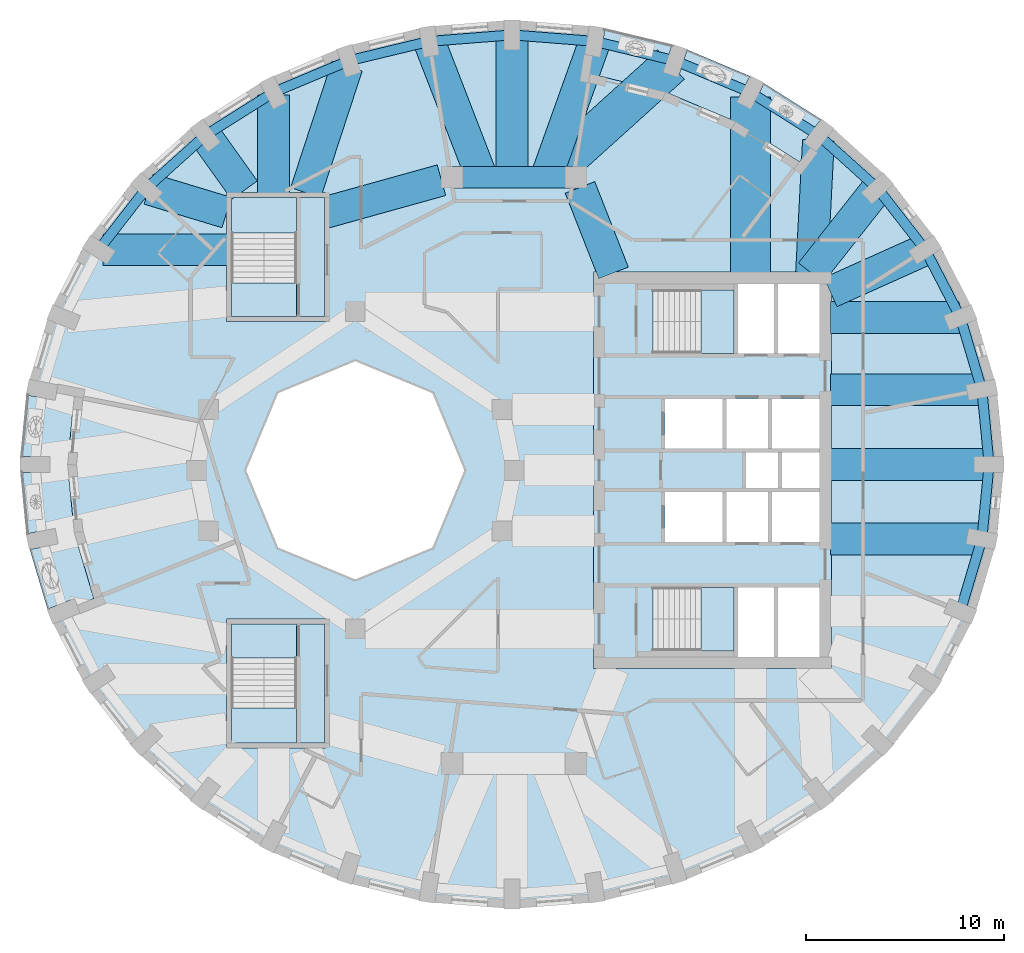
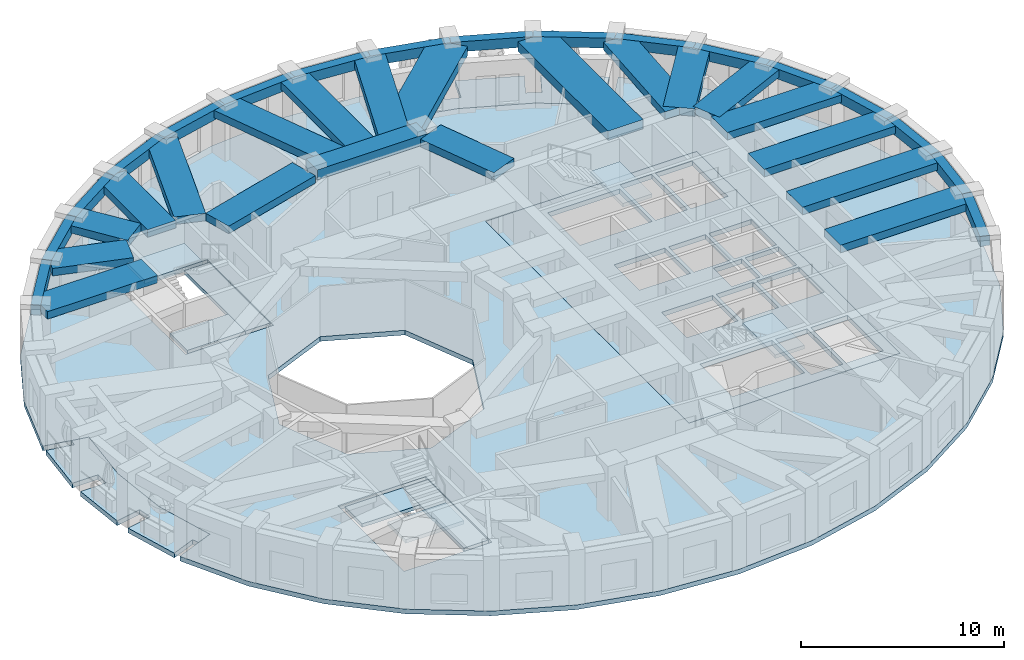
# One storey, part 2 of 12: 37 beams, 12 slabs, 4 elements without a shape of their own.
"""IFC4 building model written with IfcOpenShell, lengths in metres."""

import ifcopenshell
import ifcopenshell.guid

model = None  # the IFC model being written
_history = None  # IfcOwnerHistory: only IFC2X3 demands one
_inside = {}  # id of a spatial element -> (the spatial element, [elements in it])
_under = {}  # id of a project, library or spatial element -> (it, [spatial elements below it])
_declared = {}  # id of a project -> (the project, [libraries it declares])
_typed = {}  # id of a type object -> (the type object, [elements of that type])
_made_of = {}  # id of a material, layer set ... -> (it, [elements and type objects made of it])


def new_model(schema):
    """Start an empty IFC model of exactly this schema.

    Asked for "IFC4X3", IfcOpenShell would pick the latest addendum, in which some entities
    have other attributes; the version numbers below select the first issue.
    IFC2X3 requires an IfcOwnerHistory on every rooted entity: one is made here for all.
    """
    global model, _history
    if schema == "IFC4X3":
        model = ifcopenshell.file(schema_version=(4, 3, 0, 0))
    else:
        model = ifcopenshell.file(schema=schema)
    _inside.clear()
    _under.clear()
    _declared.clear()
    _typed.clear()
    _made_of.clear()
    _history = None
    if model.schema == "IFC2X3":
        org = make("IfcOrganization", Name="unknown")
        user = make(
            "IfcPersonAndOrganization",
            ThePerson=make("IfcPerson", FamilyName="unknown"),
            TheOrganization=org,
        )
        app = make(
            "IfcApplication",
            ApplicationDeveloper=org,
            Version="unknown",
            ApplicationFullName="unknown",
            ApplicationIdentifier="unknown",
        )
        _history = make(
            "IfcOwnerHistory",
            OwningUser=user,
            OwningApplication=app,
            ChangeAction="ADDED",
            CreationDate=0,
        )
    return model


def make(cls, **values):
    """One entity of the class cls with the attributes given. An attribute that is None is left unset."""
    return model.create_entity(
        cls, **{name: value for name, value in values.items() if value is not None}
    )


def rooted(cls, **values):
    """An entity with a GlobalId (a new one), such as an element, a storey or a relation."""
    return make(cls, GlobalId=ifcopenshell.guid.new(), OwnerHistory=_history, **values)


def si_unit(unit_type, name, prefix=None):
    """IfcSIUnit, for example si_unit("LENGTHUNIT", "METRE", prefix="MILLI")."""
    return make("IfcSIUnit", UnitType=unit_type, Prefix=prefix, Name=name)


def assignment(units):
    """IfcUnitAssignment: the units of a project."""
    return None if units is None else make("IfcUnitAssignment", Units=units)


def point(xyz):
    """IfcCartesianPoint."""
    return None if xyz is None else make("IfcCartesianPoint", Coordinates=xyz)


def direction(xyz):
    """IfcDirection."""
    return None if xyz is None else make("IfcDirection", DirectionRatios=xyz)


def frame(location, z_axis=None, x_axis=None):
    """IfcAxis2Placement3D, a coordinate frame: its origin and axes. An axis left out is left unset."""
    return make(
        "IfcAxis2Placement3D",
        Location=point(location),
        Axis=direction(z_axis),
        RefDirection=direction(x_axis),
    )


def frame_2d(location, x_axis=None):
    """IfcAxis2Placement2D, a coordinate frame in the plane: its origin and x axis."""
    return make(
        "IfcAxis2Placement2D", Location=point(location), RefDirection=direction(x_axis)
    )


def origin():
    """The frame at (0, 0, 0) with its axes left unset."""
    return frame((0.0, 0.0, 0.0))


def origin_2d():
    """The frame at (0, 0) in the plane with its x axis left unset."""
    return frame_2d((0.0, 0.0))


def place(relative_to, where):
    """IfcLocalPlacement: puts the frame where relative to a parent placement (None: the world)."""
    return make(
        "IfcLocalPlacement", PlacementRelTo=relative_to, RelativePlacement=where
    )


def context(
    kind, dimensions, precision=None, world=None, true_north=None, identifier=None
):
    """IfcGeometricRepresentationContext, for example the 3D "Model" context."""
    return make(
        "IfcGeometricRepresentationContext",
        ContextIdentifier=identifier,
        ContextType=kind,
        CoordinateSpaceDimension=dimensions,
        Precision=precision,
        WorldCoordinateSystem=world,
        TrueNorth=true_north,
    )


def subcontext(parent, identifier, kind, view, scale=None):
    """IfcGeometricRepresentationSubContext, for example "Body" below "Model"."""
    return make(
        "IfcGeometricRepresentationSubContext",
        ContextIdentifier=identifier,
        ContextType=kind,
        ParentContext=parent,
        TargetScale=scale,
        TargetView=view,
    )


def project(units=None, contexts=None):
    """IfcProject with its units and contexts."""
    return rooted(
        "IfcProject",
        Name="project",
        RepresentationContexts=contexts,
        UnitsInContext=assignment(units),
    )


def spatial(cls, under=None, at=None, **own):
    """A site, building, storey or space (cls), placed at a placement, below another one or the project."""
    s = rooted(cls, ObjectPlacement=at, **own)
    if under is not None:
        _under.setdefault(under.id(), (under, []))[1].append(s)
    return s


def polyline(points):
    """IfcPolyline through the points."""
    return make("IfcPolyline", Points=[point(p) for p in points])


def profile(cls, at=None, kind="AREA", **sizes):
    """A parametric profile (cls). Its sizes go by their IFC names, for example OverallWidth=200.0."""
    return make(cls, ProfileType=kind, Position=at, **sizes)


def rectangle(**sizes):
    """IfcRectangleProfileDef."""
    return profile("IfcRectangleProfileDef", **sizes)


def outline(outer, holes=None, kind="AREA"):
    """IfcArbitraryClosedProfileDef: a profile drawn as a closed curve; with holes, ...WithVoids."""
    if holes is None:
        return make("IfcArbitraryClosedProfileDef", ProfileType=kind, OuterCurve=outer)
    return make(
        "IfcArbitraryProfileDefWithVoids",
        ProfileType=kind,
        OuterCurve=outer,
        InnerCurves=holes,
    )


def extrude(swept, where, along, depth):
    """IfcExtrudedAreaSolid: the profile swept, set in the frame where, extruded along a direction by depth."""
    return make(
        "IfcExtrudedAreaSolid",
        SweptArea=swept,
        Position=where,
        ExtrudedDirection=direction(along),
        Depth=depth,
    )


def shape(context_of_items, identifier, shape_type, items):
    """IfcShapeRepresentation: the items that make up one representation, for example the "Body"."""
    return make(
        "IfcShapeRepresentation",
        ContextOfItems=context_of_items,
        RepresentationIdentifier=identifier,
        RepresentationType=shape_type,
        Items=items,
    )


def material(Name=None, Category=None):
    """IfcMaterial."""
    return make("IfcMaterial", Name=Name, Category=Category)


def layer(
    of_material, thickness, ventilated=None, Name=None, Category=None, Priority=None
):
    """IfcMaterialLayer: one layer of a wall or slab, of a material (None: an air gap)."""
    return make(
        "IfcMaterialLayer",
        Material=of_material,
        LayerThickness=thickness,
        IsVentilated=ventilated,
        Name=Name,
        Category=Category,
        Priority=Priority,
    )


def layer_set(layers, Name=None):
    """IfcMaterialLayerSet."""
    return make("IfcMaterialLayerSet", MaterialLayers=layers, LayerSetName=Name)


def material_profile(
    of_material, cross_section, Name=None, Category=None, Priority=None
):
    """IfcMaterialProfile: a cross section and its material."""
    return make(
        "IfcMaterialProfile",
        Name=Name,
        Material=of_material,
        Profile=cross_section,
        Priority=Priority,
        Category=Category,
    )


def profile_set(profiles, Name=None, composite=None):
    """IfcMaterialProfileSet."""
    return make(
        "IfcMaterialProfileSet",
        Name=Name,
        MaterialProfiles=profiles,
        CompositeProfile=composite,
    )


def made_of(thing, what):
    """Note that an element or type object is made of a material, layer set ...; save() writes the relation."""
    if what is not None:
        _made_of.setdefault(what.id(), (what, []))[1].append(thing)
    return thing


def type_object(cls, material=None, **own):
    """A type object (cls), such as IfcWallType, which elements share."""
    return made_of(rooted(cls, **own), material)


def element(
    cls,
    number,
    at=None,
    inside=None,
    cuts=None,
    type_object=None,
    material=None,
    context=None,
    identifier="Body",
    shape_type=None,
    held_by="IfcProductDefinitionShape",
    body=None,
    shapes=None,
    **own,
):
    """One element of the class cls, such as IfcWall. Its Tag is "e" and its number.

    at: its placement. inside: the storey or other place that contains it. cuts: it is an
    opening in that element (IfcRelVoidsElement). A single representation is given by context,
    identifier, shape_type and body (its items); several are given by shapes. held_by: the class
    of the entity that holds the representations. save() writes the other relations.
    """
    e = rooted(cls, Tag="e%d" % number, ObjectPlacement=at, **own)
    if body is not None:
        shapes = [shape(context, identifier, shape_type, body)]
    if shapes is not None:
        e.Representation = make(held_by, Representations=shapes)
    if inside is not None:
        _inside.setdefault(inside.id(), (inside, []))[1].append(e)
    if cuts is not None:
        rooted(
            "IfcRelVoidsElement", RelatingBuildingElement=cuts, RelatedOpeningElement=e
        )
    if type_object is not None:
        _typed.setdefault(type_object.id(), (type_object, []))[1].append(e)
    return made_of(e, material)


def aggregate(whole, parts):
    """IfcRelAggregates: a whole, such as a stair, and the parts it consists of."""
    return rooted("IfcRelAggregates", RelatingObject=whole, RelatedObjects=parts)


def save(model, path):
    """Write the relations noted so far, then the file.

    IfcRelAggregates (storeys below a building ...), IfcRelContainedInSpatialStructure (elements
    in a storey), IfcRelDefinesByType, IfcRelAssociatesMaterial and IfcRelDeclares: one each for
    every whole, place, type object, material and project.
    """
    for whole, parts in _under.values():
        aggregate(whole, parts)
    for where, things in _inside.values():
        rooted(
            "IfcRelContainedInSpatialStructure",
            RelatedElements=things,
            RelatingStructure=where,
        )
    for kind, things in _typed.values():
        rooted("IfcRelDefinesByType", RelatedObjects=things, RelatingType=kind)
    for what, things in _made_of.values():
        rooted("IfcRelAssociatesMaterial", RelatedObjects=things, RelatingMaterial=what)
    for by, libraries in _declared.values():
        rooted("IfcRelDeclares", RelatingContext=by, RelatedDefinitions=libraries)
    model.write(path)


model = new_model("IFC4")

# Units and contexts
model_context = context("Model", 3, precision=1e-05, world=origin(), true_north=direction((0.0, 1.0)))
body_context = subcontext(model_context, "Body", "Model", "MODEL_VIEW")
ifc_project = project(units=[si_unit("LENGTHUNIT", "METRE"), si_unit("AREAUNIT", "SQUARE_METRE"), si_unit("VOLUMEUNIT", "CUBIC_METRE"), si_unit("PLANEANGLEUNIT", "RADIAN"), si_unit("MASSUNIT", "GRAM", prefix="KILO")], contexts=[model_context])

# Site, building, storey
site_placement = place(None, origin())
site = spatial("IfcSite", under=ifc_project, at=site_placement, CompositionType="ELEMENT")
building_placement = place(site_placement, origin())
building = spatial("IfcBuilding", under=site, at=building_placement, Name="Taillehof Tower", CompositionType="ELEMENT")
storey_placement = place(building_placement, frame((0.0, 0.0, 236.60009765625)))
storey = spatial("IfcBuildingStorey", under=building, at=storey_placement, Name="L67", CompositionType="ELEMENT", Elevation=236.60009765625)

# Beams
ifc_material_1 = material(Name="Concrete C50/60", Category="concrete")
ifc_material_profile_1 = material_profile(ifc_material_1, rectangle(XDim=1.10009765625, YDim=0.60009765625, at=origin_2d()), Name="RC 1100x600")
ifc_profile_set_1 = profile_set([ifc_material_profile_1], Name="Concrete C50/60")
beam_type_1 = type_object("IfcBeamType", Name="Mid-ring beam C50/60 1100x600", PredefinedType="BEAM", material=ifc_profile_set_1)
beam_1_placement = place(storey_placement, frame((3.125732421875, 14.772216796875, 2.719970703125), z_axis=(-1.0, 0.0, 0.0), x_axis=(0.0, -1.0, 0.0)))
element("IfcBeam", 1, at=beam_1_placement, inside=storey, type_object=beam_type_1, Name="Mid-ring beam MB01", PredefinedType="BEAM", context=body_context, shape_type="SweptSolid", body=[
    extrude(rectangle(XDim=1.10009765625, YDim=0.60009765625, at=origin_2d()), origin(), (0.0, 0.0, 1.0), 6.25146484375),
])
ifc_material_2 = material(Name="Concrete C50/60", Category="concrete")
ifc_material_profile_2 = material_profile(ifc_material_2, rectangle(XDim=1.60009765625, YDim=0.449951171875, at=origin_2d()), Name="RC 1600x450")
ifc_profile_set_2 = profile_set([ifc_material_profile_2], Name="Concrete C50/60")
beam_type_2 = type_object("IfcBeamType", Name="Radial band beam C50/60 1600x450", PredefinedType="BEAM", material=ifc_profile_set_2)
beam_2_placement = place(storey_placement, frame((23.949951171875, 0.300048828125, 2.794921875), z_axis=(-1.0, 0.0, 0.0), x_axis=(0.0, -1.0, 0.0)))
element("IfcBeam", 2, at=beam_2_placement, inside=storey, type_object=beam_type_2, Name="Radial band beam RB01", PredefinedType="BEAM", context=body_context, shape_type="SweptSolid", body=[
    extrude(rectangle(XDim=1.60009765625, YDim=0.449951171875, at=origin_2d()), origin(), (0.0, 0.0, 1.0), 8.0),
])
beam_3_placement = place(storey_placement, frame((23.584716796875, 4.0595703125, 2.794921875), z_axis=(-1.0, 0.0, 0.0), x_axis=(0.0, -1.0, 0.0)))
element("IfcBeam", 3, at=beam_3_placement, inside=storey, type_object=beam_type_2, Name="Radial band beam RB02", PredefinedType="BEAM", context=body_context, shape_type="SweptSolid", body=[
    extrude(rectangle(XDim=1.60009765625, YDim=0.449951171875, at=origin_2d()), origin(), (0.0, 0.0, 1.0), 7.634765625),
])
beam_4_placement = place(storey_placement, frame((22.44580078125, 7.704833984375, 2.794921875), z_axis=(-1.0, 0.0, 0.0), x_axis=(0.0, -1.0, 0.0)))
element("IfcBeam", 4, at=beam_4_placement, inside=storey, type_object=beam_type_2, Name="Radial band beam RB03", PredefinedType="BEAM", context=body_context, shape_type="SweptSolid", body=[
    extrude(rectangle(XDim=1.60009765625, YDim=0.449951171875, at=origin_2d()), origin(), (0.0, 0.0, 1.0), 6.495849609375),
])
beam_5_placement = place(storey_placement, frame((20.72802734375, 11.125, 2.794921875), z_axis=(-0.912110813011, -0.409943733685, 0.0), x_axis=(0.409943733685, -0.912110813011, 0.0)))
element("IfcBeam", 5, at=beam_5_placement, inside=storey, type_object=beam_type_2, Name="Radial band beam RB04", PredefinedType="BEAM", context=body_context, shape_type="SweptSolid", body=[
    extrude(rectangle(XDim=1.60009765625, YDim=0.449951171875, at=origin_2d()), origin(), (0.0, 0.0, 1.0), 5.233642578125),
])
beam_6_placement = place(storey_placement, frame((18.323486328125, 14.21630859375, 2.794921875), z_axis=(-0.619052480422, -0.785349620541, 0.0), x_axis=(0.785349620541, -0.619052480422, 0.0)))
element("IfcBeam", 6, at=beam_6_placement, inside=storey, type_object=beam_type_2, Name="Radial band beam RB05", PredefinedType="BEAM", context=body_context, shape_type="SweptSolid", body=[
    extrude(rectangle(XDim=1.60009765625, YDim=0.449951171875, at=origin_2d()), origin(), (0.0, 0.0, 1.0), 5.418701171875),
])
beam_7_placement = place(storey_placement, frame((15.3466796875, 16.645751953125, 2.794921875), z_axis=(-0.052105887855, -0.998641565553, 0.0), x_axis=(0.998641565553, -0.052105887855, 0.0)))
element("IfcBeam", 7, at=beam_7_placement, inside=storey, type_object=beam_type_2, Name="Radial band beam RB06", PredefinedType="BEAM", context=body_context, shape_type="SweptSolid", body=[
    extrude(rectangle(XDim=1.60009765625, YDim=0.449951171875, at=origin_2d()), origin(), (0.0, 0.0, 1.0), 6.704833984375),
])
beam_8_placement = place(storey_placement, frame((4.076171875, 21.62109375, 2.794921875), z_axis=(-0.33687426523, -0.941549642571, 0.0), x_axis=(0.941549642571, -0.33687426523, 0.0)))
element("IfcBeam", 8, at=beam_8_placement, inside=storey, type_object=beam_type_2, Name="Radial band beam RB09", PredefinedType="BEAM", context=body_context, shape_type="SweptSolid", body=[
    extrude(rectangle(XDim=1.60009765625, YDim=0.449951171875, at=origin_2d()), origin(), (0.0, 0.0, 1.0), 7.27392578125),
])
beam_9_placement = place(storey_placement, frame((-0.10009765625, 21.949951171875, 2.794921875), z_axis=(0.0, -1.0, 0.0), x_axis=(1.0, 0.0, 0.0)))
element("IfcBeam", 9, at=beam_9_placement, inside=storey, type_object=beam_type_2, Name="Radial band beam RB10", PredefinedType="BEAM", context=body_context, shape_type="SweptSolid", body=[
    extrude(rectangle(XDim=1.60009765625, YDim=0.449951171875, at=origin_2d()), origin(), (0.0, 0.0, 1.0), 7.177734375),
])
beam_10_placement = place(storey_placement, frame((-4.276123046875, 21.62109375, 2.794921875), z_axis=(0.360900836016, -0.932604196089, 0.0), x_axis=(0.932604196089, 0.360900836016, 0.0)))
element("IfcBeam", 10, at=beam_10_placement, inside=storey, type_object=beam_type_2, Name="Radial band beam RB11", PredefinedType="BEAM", context=body_context, shape_type="SweptSolid", body=[
    extrude(rectangle(XDim=1.60009765625, YDim=0.449951171875, at=origin_2d()), origin(), (0.0, 0.0, 1.0), 7.34375),
])
beam_11_placement = place(storey_placement, frame((-8.41162109375, 20.38134765625, 2.794921875), z_axis=(-0.311042642597, -0.950395956687, 0.0), x_axis=(0.950395956687, -0.311042642597, 0.0)))
element("IfcBeam", 11, at=beam_11_placement, inside=storey, type_object=beam_type_2, Name="Radial band beam RB12", PredefinedType="BEAM", context=body_context, shape_type="SweptSolid", body=[
    extrude(rectangle(XDim=1.60009765625, YDim=0.449951171875, at=origin_2d()), origin(), (0.0, 0.0, 1.0), 6.715576171875),
])
beam_12_placement = place(storey_placement, frame((-12.125, 18.91552734375, 2.794921875), z_axis=(0.0, -1.0, 0.0), x_axis=(1.0, 0.0, 0.0)))
element("IfcBeam", 12, at=beam_12_placement, inside=storey, type_object=beam_type_2, Name="Radial band beam RB13", PredefinedType="BEAM", context=body_context, shape_type="SweptSolid", body=[
    extrude(rectangle(XDim=1.60009765625, YDim=0.449951171875, at=origin_2d()), origin(), (0.0, 0.0, 1.0), 4.965576171875),
])
beam_13_placement = place(storey_placement, frame((-15.55908203125, 16.884765625, 2.794921875), z_axis=(0.580959197129, -0.813932682272, 0.0), x_axis=(0.813932682272, 0.580959197129, 0.0)))
element("IfcBeam", 13, at=beam_13_placement, inside=storey, type_object=beam_type_2, Name="Radial band beam RB14", PredefinedType="BEAM", context=body_context, shape_type="SweptSolid", body=[
    extrude(rectangle(XDim=1.60009765625, YDim=0.449951171875, at=origin_2d()), origin(), (0.0, 0.0, 1.0), 3.394287109375),
])
beam_14_placement = place(storey_placement, frame((-18.413818359375, 14.18310546875, 2.794921875), z_axis=(0.957221394865, -0.289356529584, 0.0), x_axis=(0.289356529584, 0.957221394865, 0.0)))
element("IfcBeam", 14, at=beam_14_placement, inside=storey, type_object=beam_type_2, Name="Radial band beam RB15", PredefinedType="BEAM", context=body_context, shape_type="SweptSolid", body=[
    extrude(rectangle(XDim=1.60009765625, YDim=0.449951171875, at=origin_2d()), origin(), (0.0, 0.0, 1.0), 4.102294921875),
])
beam_15_placement = place(storey_placement, frame((-20.7119140625, 11.125, 2.794921875), z_axis=(1.0, 0.0, 0.0), x_axis=(0.0, 1.0, 0.0)))
element("IfcBeam", 15, at=beam_15_placement, inside=storey, type_object=beam_type_2, Name="Radial band beam RB16", PredefinedType="BEAM", context=body_context, shape_type="SweptSolid", body=[
    extrude(rectangle(XDim=1.60009765625, YDim=0.449951171875, at=origin_2d()), origin(), (0.0, 0.0, 1.0), 6.261962890625),
])
beam_16_placement = place(storey_placement, frame((23.584716796875, -3.45947265625, 2.794921875), z_axis=(-1.0, 0.0, 0.0), x_axis=(0.0, -1.0, 0.0)))
element("IfcBeam", 16, at=beam_16_placement, inside=storey, type_object=beam_type_2, Name="Radial band beam RB36", PredefinedType="BEAM", context=body_context, shape_type="SweptSolid", body=[
    extrude(rectangle(XDim=1.60009765625, YDim=0.449951171875, at=origin_2d()), origin(), (0.0, 0.0, 1.0), 7.634765625),
])
beam_17_placement = place(storey_placement, frame((3.32666015625, 14.26025390625, 2.794921875), z_axis=(0.365588707223, -0.930776502255, 0.0), x_axis=(0.930776502255, 0.365588707223, 0.0)))
element("IfcBeam", 17, at=beam_17_placement, inside=storey, type_object=beam_type_2, Name="Inner band beam IB205", PredefinedType="BEAM", context=body_context, shape_type="SweptSolid", body=[
    extrude(rectangle(XDim=1.60009765625, YDim=0.449951171875, at=origin_2d()), origin(), (0.0, 0.0, 1.0), 4.627197265625),
])
beam_18_placement = place(storey_placement, frame((-3.655517578125, 14.624755859375, 2.794921875), z_axis=(-0.963459369536, -0.267854518821, 0.0), x_axis=(0.267854518821, -0.963459369536, 0.0)))
element("IfcBeam", 18, at=beam_18_placement, inside=storey, type_object=beam_type_2, Name="Inner band beam IB206", PredefinedType="BEAM", context=body_context, shape_type="SweptSolid", body=[
    extrude(rectangle(XDim=1.60009765625, YDim=0.449951171875, at=origin_2d()), origin(), (0.0, 0.0, 1.0), 6.096923828125),
])
ifc_material_3 = material(Name="Concrete C50/60", Category="concrete")
ifc_material_profile_3 = material_profile(ifc_material_3, rectangle(XDim=2.0, YDim=0.550048828125, at=origin_2d()), Name="RC 2000x550")
ifc_profile_set_3 = profile_set([ifc_material_profile_3], Name="Concrete C50/60")
beam_type_3 = type_object("IfcBeamType", Name="Radial band beam C50/60 2000x550", PredefinedType="BEAM", material=ifc_profile_set_3)
beam_19_placement = place(storey_placement, frame((11.925048828125, 18.8115234375, 2.744873046875), z_axis=(0.0, -1.0, 0.0), x_axis=(1.0, 0.0, 0.0)))
element("IfcBeam", 19, at=beam_19_placement, inside=storey, type_object=beam_type_3, Name="Radial band beam RB07", PredefinedType="BEAM", context=body_context, shape_type="SweptSolid", body=[
    extrude(rectangle(XDim=2.0, YDim=0.550048828125, at=origin_2d()), origin(), (0.0, 0.0, 1.0), 8.861572265625),
])
beam_20_placement = place(storey_placement, frame((7.9150390625, 20.4541015625, 2.744873046875), z_axis=(-0.742031364941, -0.670365164253, 0.0), x_axis=(0.670365164253, -0.742031364941, 0.0)))
element("IfcBeam", 20, at=beam_20_placement, inside=storey, type_object=beam_type_3, Name="Radial band beam RB08", PredefinedType="BEAM", context=body_context, shape_type="SweptSolid", body=[
    extrude(rectangle(XDim=2.0, YDim=0.550048828125, at=origin_2d()), origin(), (0.0, 0.0, 1.0), 8.189453125),
])
ifc_material_4 = material(Name="Concrete C50/60", Category="concrete")
ifc_material_profile_4 = material_profile(ifc_material_4, rectangle(XDim=0.5, YDim=0.60009765625, at=origin_2d()), Name="RC 500x600")
ifc_profile_set_4 = profile_set([ifc_material_profile_4], Name="Concrete C50/60")
beam_type_4 = type_object("IfcBeamType", Name="Spandrel beam C50/60 500x600", PredefinedType="SPANDREL", material=ifc_profile_set_4)
beam_21_placement = place(storey_placement, frame((23.949951171875, 0.300048828125, 2.719970703125), z_axis=(-0.096693940319, 0.995314162416, 0.0), x_axis=(-0.995314162416, -0.096693940319, 0.0)))
element("IfcBeam", 21, at=beam_21_placement, inside=storey, type_object=beam_type_4, Name="Spandrel beam SB01", PredefinedType="SPANDREL", context=body_context, shape_type="SweptSolid", body=[
    extrude(rectangle(XDim=0.5, YDim=0.60009765625, at=origin_2d()), origin(), (0.0, 0.0, 1.0), 3.777099609375),
])
beam_22_placement = place(storey_placement, frame((23.584716796875, 4.0595703125, 2.719970703125), z_axis=(-0.285327303248, 0.95843013831, 0.0), x_axis=(-0.95843013831, -0.285327303248, 0.0)))
element("IfcBeam", 22, at=beam_22_placement, inside=storey, type_object=beam_type_4, Name="Spandrel beam SB02", PredefinedType="SPANDREL", context=body_context, shape_type="SweptSolid", body=[
    extrude(rectangle(XDim=0.5, YDim=0.60009765625, at=origin_2d()), origin(), (0.0, 0.0, 1.0), 3.803466796875),
])
beam_23_placement = place(storey_placement, frame((22.49951171875, 7.704833984375, 2.719970703125), z_axis=(-0.45992118545, 0.887959741865, 0.0), x_axis=(-0.887959741865, -0.45992118545, 0.0)))
element("IfcBeam", 23, at=beam_23_placement, inside=storey, type_object=beam_type_4, Name="Spandrel beam SB03", PredefinedType="SPANDREL", context=body_context, shape_type="SweptSolid", body=[
    extrude(rectangle(XDim=0.5, YDim=0.60009765625, at=origin_2d()), origin(), (0.0, 0.0, 1.0), 3.851806640625),
])
beam_24_placement = place(storey_placement, frame((20.72802734375, 11.125, 2.719970703125), z_axis=(-0.613970823209, 0.78932872002, 0.0), x_axis=(-0.78932872002, -0.613970823209, 0.0)))
element("IfcBeam", 24, at=beam_24_placement, inside=storey, type_object=beam_type_4, Name="Spandrel beam SB04", PredefinedType="SPANDREL", context=body_context, shape_type="SweptSolid", body=[
    extrude(rectangle(XDim=0.5, YDim=0.60009765625, at=origin_2d()), origin(), (0.0, 0.0, 1.0), 3.916259765625),
])
beam_25_placement = place(storey_placement, frame((18.323486328125, 14.21630859375, 2.719970703125), z_axis=(-0.743227182134, 0.669039128704, 0.0), x_axis=(-0.669039128704, -0.743227182134, 0.0)))
element("IfcBeam", 25, at=beam_25_placement, inside=storey, type_object=beam_type_4, Name="Spandrel beam SB05", PredefinedType="SPANDREL", context=body_context, shape_type="SweptSolid", body=[
    extrude(rectangle(XDim=0.5, YDim=0.60009765625, at=origin_2d()), origin(), (0.0, 0.0, 1.0), 3.988525390625),
])
beam_26_placement = place(storey_placement, frame((15.359130859375, 16.884765625, 2.719970703125), z_axis=(-0.845944476237, 0.5332709847, 0.0), x_axis=(-0.5332709847, -0.845944476237, 0.0)))
element("IfcBeam", 26, at=beam_26_placement, inside=storey, type_object=beam_type_4, Name="Spandrel beam SB06", PredefinedType="SPANDREL", context=body_context, shape_type="SweptSolid", body=[
    extrude(rectangle(XDim=0.5, YDim=0.60009765625, at=origin_2d()), origin(), (0.0, 0.0, 1.0), 4.0595703125),
])
beam_27_placement = place(storey_placement, frame((11.925048828125, 19.049560546875, 2.719970703125), z_axis=(-0.922076419735, 0.387007850267, 0.0), x_axis=(-0.387007850267, -0.922076419735, 0.0)))
element("IfcBeam", 27, at=beam_27_placement, inside=storey, type_object=beam_type_4, Name="Spandrel beam SB07", PredefinedType="SPANDREL", context=body_context, shape_type="SweptSolid", body=[
    extrude(rectangle(XDim=0.5, YDim=0.60009765625, at=origin_2d()), origin(), (0.0, 0.0, 1.0), 4.12060546875),
])
beam_28_placement = place(storey_placement, frame((8.12548828125, 20.644287109375, 2.719970703125), z_axis=(-0.972115850295, 0.234501116425, 0.0), x_axis=(-0.234501116425, -0.972115850295, 0.0)))
element("IfcBeam", 28, at=beam_28_placement, inside=storey, type_object=beam_type_4, Name="Spandrel beam SB08", PredefinedType="SPANDREL", context=body_context, shape_type="SweptSolid", body=[
    extrude(rectangle(XDim=0.5, YDim=0.60009765625, at=origin_2d()), origin(), (0.0, 0.0, 1.0), 4.16552734375),
])
beam_29_placement = place(storey_placement, frame((4.076171875, 21.62109375, 2.719970703125), z_axis=(-0.996914011582, 0.078501296247, 0.0), x_axis=(-0.078501296247, -0.996914011582, 0.0)))
element("IfcBeam", 29, at=beam_29_placement, inside=storey, type_object=beam_type_4, Name="Spandrel beam SB09", PredefinedType="SPANDREL", context=body_context, shape_type="SweptSolid", body=[
    extrude(rectangle(XDim=0.5, YDim=0.60009765625, at=origin_2d()), origin(), (0.0, 0.0, 1.0), 4.189208984375),
])
beam_30_placement = place(storey_placement, frame((-0.10009765625, 21.949951171875, 2.719970703125), z_axis=(-0.996913652411, -0.07850585734, 0.0), x_axis=(0.07850585734, -0.996913652411, 0.0)))
element("IfcBeam", 30, at=beam_30_placement, inside=storey, type_object=beam_type_4, Name="Spandrel beam SB10", PredefinedType="SPANDREL", context=body_context, shape_type="SweptSolid", body=[
    extrude(rectangle(XDim=0.5, YDim=0.60009765625, at=origin_2d()), origin(), (0.0, 0.0, 1.0), 4.18896484375),
])
beam_31_placement = place(storey_placement, frame((-4.276123046875, 21.62109375, 2.719970703125), z_axis=(-0.972119073064, -0.234487756154, 0.0), x_axis=(0.234487756154, -0.972119073064, 0.0)))
element("IfcBeam", 31, at=beam_31_placement, inside=storey, type_object=beam_type_4, Name="Spandrel beam SB11", PredefinedType="SPANDREL", context=body_context, shape_type="SweptSolid", body=[
    extrude(rectangle(XDim=0.5, YDim=0.60009765625, at=origin_2d()), origin(), (0.0, 0.0, 1.0), 4.165771484375),
])
beam_32_placement = place(storey_placement, frame((-8.32568359375, 20.644287109375, 2.719970703125), z_axis=(-0.922067545136, -0.387028994013, 0.0), x_axis=(0.387028994013, -0.922067545136, 0.0)))
element("IfcBeam", 32, at=beam_32_placement, inside=storey, type_object=beam_type_4, Name="Spandrel beam SB12", PredefinedType="SPANDREL", context=body_context, shape_type="SweptSolid", body=[
    extrude(rectangle(XDim=0.5, YDim=0.60009765625, at=origin_2d()), origin(), (0.0, 0.0, 1.0), 4.120361328125),
])
beam_33_placement = place(storey_placement, frame((-12.125, 19.049560546875, 2.719970703125), z_axis=(-0.845944476237, -0.5332709847, 0.0), x_axis=(0.5332709847, -0.845944476237, 0.0)))
element("IfcBeam", 33, at=beam_33_placement, inside=storey, type_object=beam_type_4, Name="Spandrel beam SB13", PredefinedType="SPANDREL", context=body_context, shape_type="SweptSolid", body=[
    extrude(rectangle(XDim=0.5, YDim=0.60009765625, at=origin_2d()), origin(), (0.0, 0.0, 1.0), 4.0595703125),
])
beam_34_placement = place(storey_placement, frame((-15.55908203125, 16.884765625, 2.719970703125), z_axis=(-0.743227182134, -0.669039128704, 0.0), x_axis=(0.669039128704, -0.743227182134, 0.0)))
element("IfcBeam", 34, at=beam_34_placement, inside=storey, type_object=beam_type_4, Name="Spandrel beam SB14", PredefinedType="SPANDREL", context=body_context, shape_type="SweptSolid", body=[
    extrude(rectangle(XDim=0.5, YDim=0.60009765625, at=origin_2d()), origin(), (0.0, 0.0, 1.0), 3.988525390625),
])
beam_35_placement = place(storey_placement, frame((-18.5234375, 14.21630859375, 2.719970703125), z_axis=(-0.613970823209, -0.78932872002, 0.0), x_axis=(0.78932872002, -0.613970823209, 0.0)))
element("IfcBeam", 35, at=beam_35_placement, inside=storey, type_object=beam_type_4, Name="Spandrel beam SB15", PredefinedType="SPANDREL", context=body_context, shape_type="SweptSolid", body=[
    extrude(rectangle(XDim=0.5, YDim=0.60009765625, at=origin_2d()), origin(), (0.0, 0.0, 1.0), 3.916259765625),
])
beam_36_placement = place(storey_placement, frame((22.49951171875, -7.104736328125, 2.719970703125), z_axis=(0.285327303248, 0.95843013831, 0.0), x_axis=(-0.95843013831, 0.285327303248, 0.0)))
element("IfcBeam", 36, at=beam_36_placement, inside=storey, type_object=beam_type_4, Name="Spandrel beam SB35", PredefinedType="SPANDREL", context=body_context, shape_type="SweptSolid", body=[
    extrude(rectangle(XDim=0.5, YDim=0.60009765625, at=origin_2d()), origin(), (0.0, 0.0, 1.0), 3.803466796875),
])
beam_37_placement = place(storey_placement, frame((23.584716796875, -3.45947265625, 2.719970703125), z_axis=(0.096693940319, 0.995314162416, 0.0), x_axis=(-0.995314162416, 0.096693940319, 0.0)))
element("IfcBeam", 37, at=beam_37_placement, inside=storey, type_object=beam_type_4, Name="Spandrel beam SB36", PredefinedType="SPANDREL", context=body_context, shape_type="SweptSolid", body=[
    extrude(rectangle(XDim=0.5, YDim=0.60009765625, at=origin_2d()), origin(), (0.0, 0.0, 1.0), 3.777099609375),
])

# Slabs
ifc_material_5 = material(Name="Concrete C40/50", Category="concrete")
ifc_layer_1 = layer(ifc_material_5, 0.280029296875)
ifc_layer_set_1 = layer_set([ifc_layer_1], Name="Balcony slab 280")
slab_type_1 = type_object("IfcSlabType", Name="Balcony slab 280", PredefinedType="USERDEFINED", material=ifc_layer_set_1)
slab_1_placement = place(storey_placement, frame((0.0, 0.0, -0.280029296875)))
element("IfcSlab", 38, at=slab_1_placement, inside=storey, type_object=slab_type_1, Name="Balcony L67 pocket 5", ObjectType="BALCONY", PredefinedType="USERDEFINED", context=body_context, shape_type="SweptSolid", body=[
    extrude(outline(polyline([(-21.17822265625, -6.464111328125), (-22.013427734375, -6.80078125), (-22.153564453125, -6.453369140625), (-23.511474609375, -7.00048828125), (-24.405029296875, -3.988037109375), (-22.971923828125, -3.708251953125), (-23.125244140625, -2.923095703125), (-24.560546875, -3.203369140625), (-24.861328125, -0.10009765625), (-23.39990234375, -0.10009765625), (-23.39990234375, 0.699951171875), (-24.861328125, 0.699951171875), (-24.560546875, 3.803466796875), (-23.125244140625, 3.523193359375), (-23.051025390625, 3.90234375), (-22.167724609375, 3.72998046875), (-22.5, 0.300048828125), (-22.167724609375, -3.1298828125), (-21.17822265625, -6.464111328125)])), origin(), (0.0, 0.0, 1.0), 0.280029296875),
])
slab_2_placement = place(storey_placement, frame((0.0, 0.0, -0.280029296875)))
element("IfcSlab", 39, at=slab_2_placement, inside=storey, type_object=slab_type_1, Name="Balcony L67 pocket 1", ObjectType="BALCONY", PredefinedType="USERDEFINED", context=body_context, shape_type="SweptSolid", body=[
    extrude(outline(polyline([(3.8291015625, 19.989501953125), (3.970458984375, 20.87841796875), (4.353271484375, 20.817626953125), (4.584228515625, 22.268310546875), (7.968994140625, 21.448974609375), (7.511474609375, 20.056884765625), (8.271240234375, 19.806884765625), (8.730224609375, 21.20263671875), (11.900390625, 19.8671875), (11.2236328125, 18.5693359375), (11.932861328125, 18.199462890625), (12.612060546875, 19.501708984375), (15.47021484375, 17.69384765625), (14.587158203125, 16.52880859375), (14.935546875, 16.2646484375), (14.3916015625, 15.546630859375), (11.190185546875, 17.571044921875), (7.632568359375, 19.069091796875), (3.8291015625, 19.989501953125)])), origin(), (0.0, 0.0, 1.0), 0.280029296875),
])
ifc_material_6 = material(Name="Concrete C40/50", Category="concrete")
ifc_layer_2 = layer(ifc_material_6, 0.280029296875)
ifc_layer_set_2 = layer_set([ifc_layer_2], Name="Core floor slab C40/50 280")
slab_type_2 = type_object("IfcSlabType", Name="Core floor slab C40/50 280", PredefinedType="FLOOR", material=ifc_layer_set_2)
slab_3_placement = place(storey_placement, frame((0.0, 0.0, -0.280029296875)))
element("IfcSlab", 40, at=slab_3_placement, inside=storey, type_object=slab_type_2, Name="Core floor L67", PredefinedType="FLOOR", context=body_context, shape_type="SweptSolid", body=[
    extrude(outline(polyline([(4.0, -10.0), (4.0, 10.0), (16.0, 10.0), (16.0, -10.0), (4.0, -10.0)]), holes=[polyline([(11.10009765625, -9.10009765625), (11.10009765625, -5.89990234375), (7.00048828125, -5.89990234375), (7.00048828125, -9.10009765625), (11.10009765625, -9.10009765625)]), polyline([(10.5, -3.60009765625), (10.5, -1.10009765625), (7.60009765625, -1.10009765625), (7.60009765625, -3.60009765625), (10.5, -3.60009765625)]), polyline([(12.800048828125, -3.60009765625), (12.800048828125, -1.10009765625), (10.699951171875, -1.10009765625), (10.699951171875, -3.60009765625), (12.800048828125, -3.60009765625)]), polyline([(10.5, 1.10009765625), (10.5, 3.60009765625), (7.60009765625, 3.60009765625), (7.60009765625, 1.10009765625), (10.5, 1.10009765625)]), polyline([(12.800048828125, 1.10009765625), (12.800048828125, 3.60009765625), (10.699951171875, 3.60009765625), (10.699951171875, 1.10009765625), (12.800048828125, 1.10009765625)]), polyline([(11.10009765625, 5.89990234375), (11.10009765625, 9.10009765625), (7.00048828125, 9.10009765625), (7.00048828125, 5.89990234375), (11.10009765625, 5.89990234375)]), polyline([(13.10009765625, 5.89990234375), (13.10009765625, 9.39990234375), (11.300048828125, 9.39990234375), (11.300048828125, 5.89990234375), (13.10009765625, 5.89990234375)]), polyline([(13.10009765625, -5.89990234375), (11.300048828125, -5.89990234375), (11.300048828125, -9.39990234375), (13.10009765625, -9.39990234375), (13.10009765625, -5.89990234375)]), polyline([(15.39990234375, -9.39990234375), (15.39990234375, -5.89990234375), (13.300048828125, -5.89990234375), (13.300048828125, -9.39990234375), (15.39990234375, -9.39990234375)]), polyline([(15.39990234375, -3.60009765625), (15.39990234375, -1.10009765625), (13.0, -1.10009765625), (13.0, -3.60009765625), (15.39990234375, -3.60009765625)]), polyline([(13.300048828125, -0.89990234375), (13.300048828125, 0.89990234375), (11.699951171875, 0.89990234375), (11.699951171875, -0.89990234375), (13.300048828125, -0.89990234375)]), polyline([(15.39990234375, -0.89990234375), (15.39990234375, 0.89990234375), (13.5, 0.89990234375), (13.5, -0.89990234375), (15.39990234375, -0.89990234375)]), polyline([(15.39990234375, 1.10009765625), (15.39990234375, 3.60009765625), (13.0, 3.60009765625), (13.0, 1.10009765625), (15.39990234375, 1.10009765625)]), polyline([(15.39990234375, 5.89990234375), (15.39990234375, 9.39990234375), (13.300048828125, 9.39990234375), (13.300048828125, 5.89990234375), (15.39990234375, 5.89990234375)])]), origin(), (0.0, 0.0, 1.0), 0.280029296875),
])
ifc_material_7 = material(Name="Concrete C40/50", Category="concrete")
ifc_layer_3 = layer(ifc_material_7, 0.280029296875)
ifc_layer_set_3 = layer_set([ifc_layer_3], Name="Floor slab 280")
slab_type_3 = type_object("IfcSlabType", Name="Floor slab 280", PredefinedType="FLOOR", material=ifc_layer_set_3)
slab_4_placement = place(storey_placement, frame((0.0, 0.0, -0.280029296875)))
element("IfcSlab", 41, at=slab_4_placement, inside=storey, type_object=slab_type_3, Name="Floor slab L67", PredefinedType="FLOOR", context=body_context, shape_type="SweptSolid", body=[
    extrude(outline(polyline([(24.699951171875, 0.300048828125), (24.3232421875, 4.189697265625), (23.204345703125, 7.961181640625), (21.37744140625, 11.5), (18.89794921875, 14.698486328125), (15.841064453125, 17.45947265625), (14.3916015625, 15.546630859375), (11.190185546875, 17.57080078125), (7.632568359375, 19.069091796875), (3.8291015625, 19.989501953125), (4.20654296875, 22.359619140625), (-0.10009765625, 22.699951171875), (-4.406494140625, 22.359619140625), (-8.58203125, 21.34912109375), (-12.5, 19.698974609375), (-16.041015625, 17.45947265625), (-19.097900390625, 14.698486328125), (-21.577392578125, 11.5), (-23.404296875, 7.961181640625), (-24.523193359375, 4.189697265625), (-22.167724609375, 3.72998046875), (-22.5, 0.300048828125), (-22.167724609375, -3.1298828125), (-21.17822265625, -6.464111328125), (-23.404296875, -7.361328125), (-21.577392578125, -10.89990234375), (-19.097900390625, -14.098388671875), (-16.041015625, -16.859375), (-12.5, -19.09912109375), (-8.58203125, -20.7490234375), (-4.406494140625, -21.759765625), (-0.10009765625, -22.10009765625), (4.20654296875, -21.759765625), (8.382080078125, -20.7490234375), (12.300048828125, -19.09912109375), (15.841064453125, -16.859375), (18.89794921875, -14.098388671875), (21.37744140625, -10.89990234375), (23.204345703125, -7.361328125), (24.3232421875, -3.589599609375), (24.699951171875, 0.300048828125)]), holes=[polyline([(-14.5, -7.5), (-9.5, -7.5), (-9.5, -14.0), (-14.5, -14.0), (-14.5, -7.5)]), polyline([(-8.0, -5.5), (-11.88916015625, -3.88916015625), (-13.5, 0.0), (-11.88916015625, 3.88916015625), (-8.0, 5.5), (-4.11083984375, 3.88916015625), (-2.5, 0.0), (-4.11083984375, -3.88916015625), (-8.0, -5.5)]), polyline([(16.0, 10.0), (16.0, -10.0), (4.0, -10.0), (4.0, 10.0), (16.0, 10.0)]), polyline([(-14.5, 14.0), (-9.5, 14.0), (-9.5, 7.5), (-14.5, 7.5), (-14.5, 14.0)])]), origin(), (0.0, 0.0, 1.0), 0.280029296875),
])

# Stair, slab
ifc_material_8 = material(Name="Concrete C40/50", Category="concrete")
stair_type = type_object("IfcStairType", Name="Exit stair half-turn", PredefinedType="HALF_TURN_STAIR", material=ifc_material_8)
stair_1_placement = place(storey_placement, origin())
stair_1 = element("IfcStair", 42, at=stair_1_placement, inside=storey, type_object=stair_type, Name="Exit stair S1", PredefinedType="HALF_TURN_STAIR")
ifc_material_9 = material(Name="Concrete C40/50", Category="concrete")
ifc_layer_4 = layer(ifc_material_9, 0.2099609375)
ifc_layer_set_4 = layer_set([ifc_layer_4], Name="Stair landing C40/50 210")
slab_type_4 = type_object("IfcSlabType", Name="Stair landing C40/50 210", PredefinedType="LANDING", material=ifc_layer_set_4)
slab_5_placement = place(storey_placement, frame((0.0, 0.0, 1.43994140625)))
slab_5 = element("IfcSlab", 43, at=slab_5_placement, type_object=slab_type_4, Name="S1 landing 1", PredefinedType="LANDING", context=body_context, shape_type="SweptSolid", body=[
    extrude(outline(polyline([(9.429931640625, 5.89990234375), (11.10009765625, 5.89990234375), (11.10009765625, 9.10009765625), (9.429931640625, 9.10009765625), (9.429931640625, 5.89990234375)])), origin(), (0.0, 0.0, 1.0), 0.2099609375),
])
aggregate(stair_1, [slab_5])

stair_2_placement = place(storey_placement, origin())
stair_2 = element("IfcStair", 44, at=stair_2_placement, inside=storey, type_object=stair_type, Name="Exit stair S2", PredefinedType="HALF_TURN_STAIR")
slab_6_placement = place(storey_placement, frame((0.0, 0.0, 1.43994140625)))
slab_6 = element("IfcSlab", 45, at=slab_6_placement, type_object=slab_type_4, Name="S2 landing 1", PredefinedType="LANDING", context=body_context, shape_type="SweptSolid", body=[
    extrude(outline(polyline([(9.429931640625, -5.89990234375), (11.10009765625, -5.89990234375), (11.10009765625, -9.10009765625), (9.429931640625, -9.10009765625), (9.429931640625, -5.89990234375)])), origin(), (0.0, 0.0, 1.0), 0.2099609375),
])
aggregate(stair_2, [slab_6])

stair_3_placement = place(storey_placement, origin())
stair_3 = element("IfcStair", 46, at=stair_3_placement, inside=storey, type_object=stair_type, Name="Exit stair S3", PredefinedType="HALF_TURN_STAIR")
slab_7_placement = place(storey_placement, frame((0.0, 0.0, 1.43994140625)))
slab_7 = element("IfcSlab", 47, at=slab_7_placement, type_object=slab_type_4, Name="S3 landing 1", PredefinedType="LANDING", context=body_context, shape_type="SweptSolid", body=[
    extrude(outline(polyline([(-14.25, 11.969970703125), (-14.25, 13.75), (-10.949951171875, 13.75), (-10.949951171875, 11.969970703125), (-14.25, 11.969970703125)])), origin(), (0.0, 0.0, 1.0), 0.2099609375),
])
aggregate(stair_3, [slab_7])

stair_4_placement = place(storey_placement, origin())
stair_4 = element("IfcStair", 48, at=stair_4_placement, inside=storey, type_object=stair_type, Name="Exit stair S4", PredefinedType="HALF_TURN_STAIR")
slab_8_placement = place(storey_placement, frame((0.0, 0.0, 1.43994140625)))
slab_8 = element("IfcSlab", 49, at=slab_8_placement, type_object=slab_type_4, Name="S4 landing 1", PredefinedType="LANDING", context=body_context, shape_type="SweptSolid", body=[
    extrude(outline(polyline([(-14.25, -11.969970703125), (-14.25, -13.75), (-10.949951171875, -13.75), (-10.949951171875, -11.969970703125), (-14.25, -11.969970703125)])), origin(), (0.0, 0.0, 1.0), 0.2099609375),
])
aggregate(stair_4, [slab_8])

# Slabs
slab_9_placement = place(storey_placement, frame((0.0, 0.0, -0.210205078125)))
element("IfcSlab", 50, at=slab_9_placement, inside=storey, type_object=slab_type_4, Name="Stair S3 floor landing", PredefinedType="LANDING", context=body_context, shape_type="SweptSolid", body=[
    extrude(outline(polyline([(-14.25, 7.75), (-14.25, 9.449951171875), (-10.949951171875, 9.449951171875), (-10.949951171875, 7.75), (-14.25, 7.75)])), origin(), (0.0, 0.0, 1.0), 0.210205078125),
])
slab_10_placement = place(storey_placement, frame((0.0, 0.0, -0.210205078125)))
element("IfcSlab", 51, at=slab_10_placement, inside=storey, type_object=slab_type_4, Name="Stair lobby S3 floor", PredefinedType="LANDING", context=body_context, shape_type="SweptSolid", body=[
    extrude(outline(polyline([(-10.949951171875, 7.75), (-9.550048828125, 7.75), (-9.550048828125, 13.75), (-10.949951171875, 13.75), (-10.949951171875, 7.75)])), origin(), (0.0, 0.0, 1.0), 0.210205078125),
])
slab_11_placement = place(storey_placement, frame((0.0, 0.0, -0.210205078125)))
element("IfcSlab", 52, at=slab_11_placement, inside=storey, type_object=slab_type_4, Name="Stair S4 floor landing", PredefinedType="LANDING", context=body_context, shape_type="SweptSolid", body=[
    extrude(outline(polyline([(-14.25, -7.75), (-14.25, -9.449951171875), (-10.949951171875, -9.449951171875), (-10.949951171875, -7.75), (-14.25, -7.75)])), origin(), (0.0, 0.0, 1.0), 0.210205078125),
])
slab_12_placement = place(storey_placement, frame((0.0, 0.0, -0.210205078125)))
element("IfcSlab", 53, at=slab_12_placement, inside=storey, type_object=slab_type_4, Name="Stair lobby S4 floor", PredefinedType="LANDING", context=body_context, shape_type="SweptSolid", body=[
    extrude(outline(polyline([(-10.949951171875, -13.75), (-9.550048828125, -13.75), (-9.550048828125, -7.75), (-10.949951171875, -7.75), (-10.949951171875, -13.75)])), origin(), (0.0, 0.0, 1.0), 0.210205078125),
])

save(model, "model.ifc")
